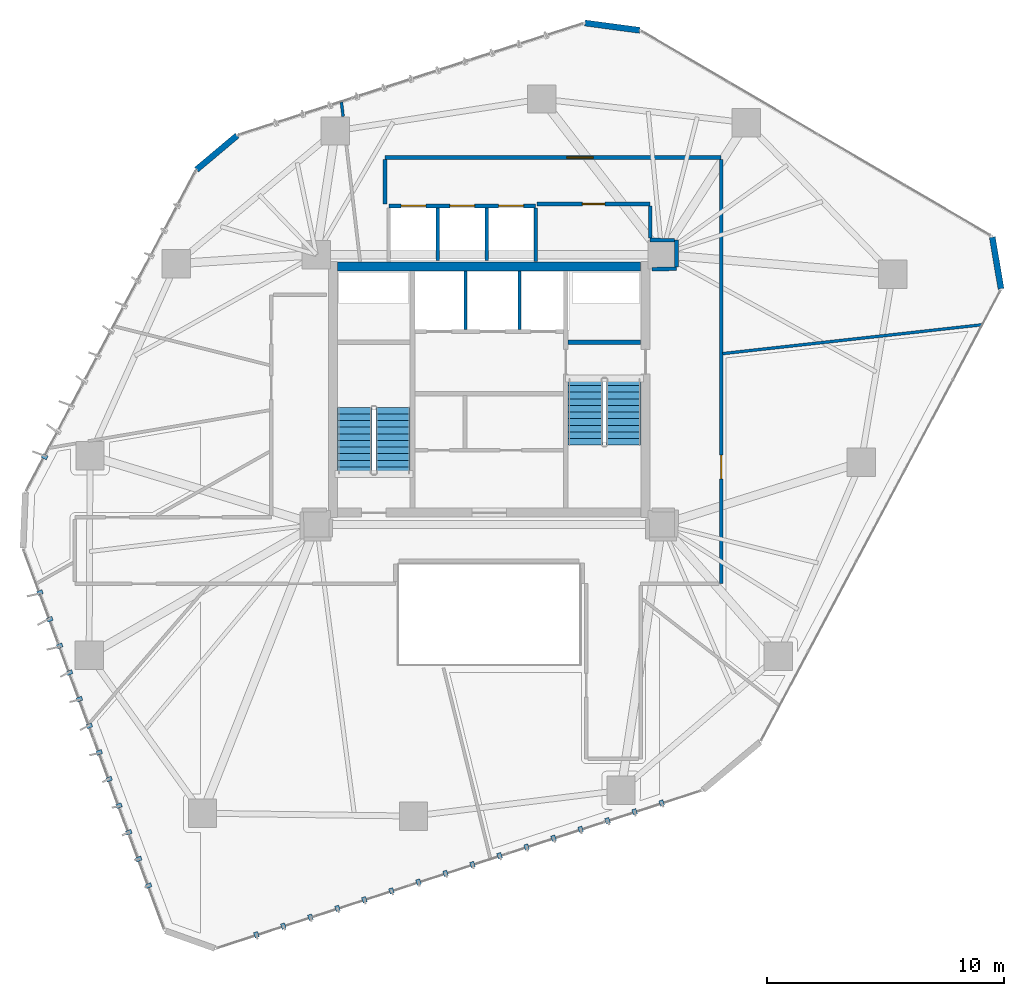
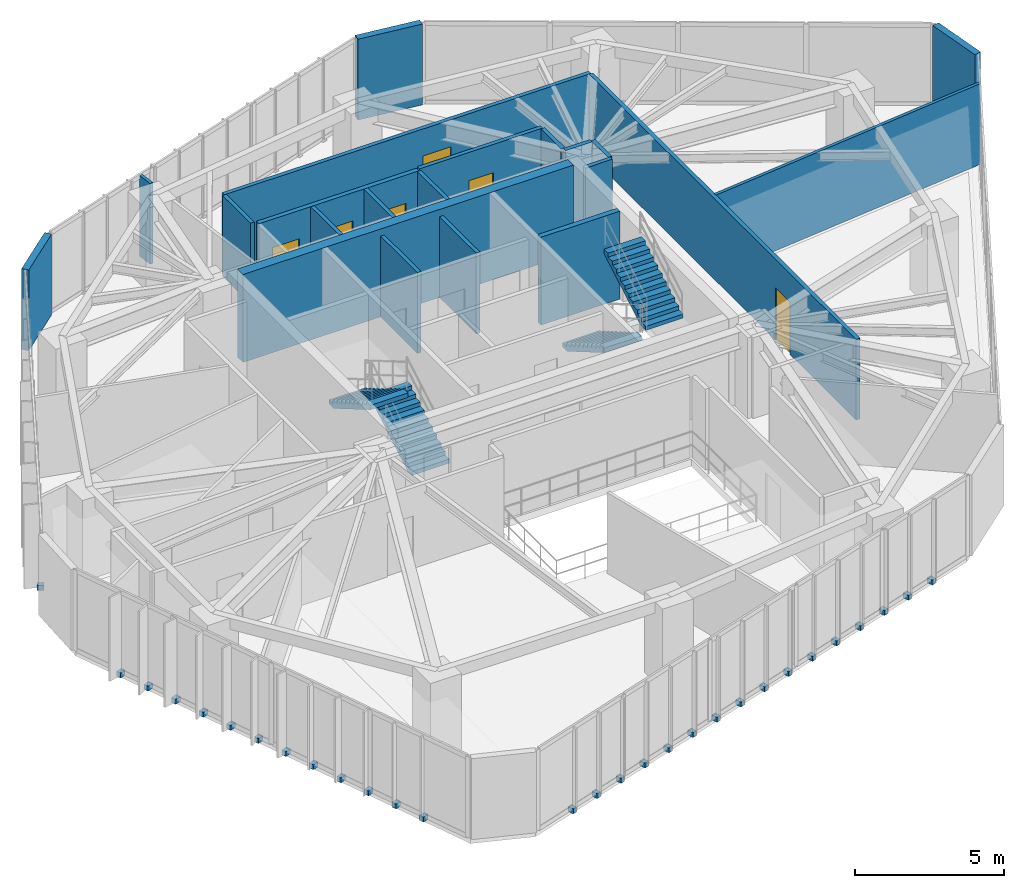
# One storey, part 17 of 21: 29 discrete accessories, 21 walls, 6 doors, 4 stair flights, 6 openings, 2 elements without a shape of their own.
"""IFC4 building model written with IfcOpenShell, lengths in metres."""

from ifc_helpers import new_model, si_unit, direction, frame, frame_2d, origin, origin_2d, place, context, subcontext, project, spatial, polyline, rectangle, outline, extrude, source, transform, mapped, material, layer, layer_set, type_object, type_shapes, element, fill, aggregate, save


model = new_model("IFC4")

# Units and contexts
model_context = context("Model", 3, precision=1e-05, world=origin(), true_north=direction((0.0, 1.0)))
body_context = subcontext(model_context, "Body", "Model", "MODEL_VIEW")
ifc_project = project(units=[si_unit("LENGTHUNIT", "METRE"), si_unit("AREAUNIT", "SQUARE_METRE"), si_unit("VOLUMEUNIT", "CUBIC_METRE"), si_unit("PLANEANGLEUNIT", "RADIAN"), si_unit("MASSUNIT", "GRAM", prefix="KILO")], contexts=[model_context])

# Site, building, storey
site_placement = place(None, origin())
site = spatial("IfcSite", under=ifc_project, at=site_placement, CompositionType="ELEMENT")
building_placement = place(site_placement, origin())
building = spatial("IfcBuilding", under=site, at=building_placement, Name="Talar Marvaseh", CompositionType="ELEMENT")
storey_placement = place(building_placement, frame((0.0, 0.0, 143.39990234375)))
storey = spatial("IfcBuildingStorey", under=building, at=storey_placement, Name="L37", CompositionType="ELEMENT", Elevation=143.39990234375)

# Walls
ifc_material_1 = material(Name="Precast concrete C45/55", Category="concrete")
ifc_layer_1 = layer(ifc_material_1, 0.2548828125)
ifc_layer_set_1 = layer_set([ifc_layer_1], Name="Precast concrete C45/55")
wall_type_1 = type_object("IfcWallType", Name="Chamfered Hexagonal Corner Pier Wall Z2 255", PredefinedType="SOLIDWALL", material=ifc_layer_set_1)
wall_1_placement = place(storey_placement, frame((13.635986328125, 40.488525390625, 0.0), z_axis=(0.0, 0.0, 1.0), x_axis=(0.766023976735, 0.642811999784, 0.0)))
element("IfcWall", 1, at=wall_1_placement, inside=storey, type_object=wall_type_1, Name="L37 Chamfered Corner Limestone Pier 3", PredefinedType="SOLIDWALL", context=body_context, shape_type="SweptSolid", body=[
    extrude(rectangle(XDim=2.2451171875, YDim=0.2548828125, at=frame_2d((1.12255859375, 0.0))), origin(), (0.0, 0.0, 1.0), 3.31005859375),
])
wall_2_placement = place(storey_placement, frame((30.044921875, 46.68359375, 0.0), z_axis=(0.0, 0.0, 1.0), x_axis=(0.99116036407, -0.132669260559, 0.0)))
element("IfcWall", 2, at=wall_2_placement, inside=storey, type_object=wall_type_1, Name="L37 Chamfered Corner Limestone Pier 4", PredefinedType="SOLIDWALL", context=body_context, shape_type="SweptSolid", body=[
    extrude(rectangle(XDim=2.3408203125, YDim=0.2548828125, at=frame_2d((1.17041015625, 0.0))), origin(), (0.0, 0.0, 1.0), 3.31005859375),
])
wall_3_placement = place(storey_placement, frame((47.252197265625, 37.637939453125, 0.0), z_axis=(0.0, 0.0, 1.0), x_axis=(0.166416827128, -0.986055495218, 0.0)))
element("IfcWall", 3, at=wall_3_placement, inside=storey, type_object=wall_type_1, Name="L37 Chamfered Corner Limestone Pier 5", PredefinedType="SOLIDWALL", context=body_context, shape_type="SweptSolid", body=[
    extrude(rectangle(XDim=2.216796875, YDim=0.2548828125, at=frame_2d((1.1083984375, 0.0))), origin(), (0.0, 0.0, 1.0), 3.31005859375),
])

# Wall, opening, door
ifc_material_2 = material(Name="Gypsum Board Partition Assembly")
ifc_layer_2 = layer(ifc_material_2, 0.155029296875)
ifc_layer_set_2 = layer_set([ifc_layer_2], Name="Gypsum Board Partition Assembly")
wall_type_2 = type_object("IfcWallType", Name="Corridor Fire-Rated Acoustic Partition 155", PredefinedType="PARTITIONING", material=ifc_layer_set_2)
wall_4_placement = place(storey_placement, frame((32.800048828125, 39.0400390625, 0.0), z_axis=(0.0, 0.0, 1.0), x_axis=(-1.0, 0.0, 0.0)))
wall_4 = element("IfcWall", 4, at=wall_4_placement, inside=storey, type_object=wall_type_2, Name="L37 Interior Partition Wall", PredefinedType="PARTITIONING", context=body_context, shape_type="SweptSolid", body=[
    extrude(rectangle(XDim=4.77001953125, YDim=0.155029296875, at=frame_2d((2.385009765625, 0.0))), origin(), (0.0, 0.0, 1.0), 3.31005859375),
])
opening_1_placement = place(wall_4_placement, frame((1.909912109375, 0.0, 0.0)))
opening_1 = element("IfcOpeningElement", 5, at=opening_1_placement, cuts=wall_4, Name="Opening DR-WC095", PredefinedType="OPENING", context=body_context, shape_type="SweptSolid", body=[
    extrude(rectangle(XDim=0.949951171875, YDim=2.14990234375, at=frame_2d((0.47509765625, 1.074951171875))), frame((0.0, 0.08740234375, 0.0), z_axis=(0.0, -1.0, 0.0), x_axis=(1.0, 0.0, 0.0)), (0.0, 0.0, 1.0), 0.175048828125),
])
ifc_material_3 = material(Name="Acoustic Engineered Oak Timber", Category="wood")
door_type_1 = type_object("IfcDoorType", Name="Washroom and Service Room Door 950x2150", OperationType="NOTDEFINED", PredefinedType="DOOR", material=ifc_material_3)
shared_shape_1 = source(origin(), body_context, "Body", "SweptSolid", [
    extrude(rectangle(XDim=0.949951171875, YDim=2.14990234375, at=frame_2d((0.47509765625, 1.074951171875))), frame((0.0, 0.02490234375, 0.0), z_axis=(0.0, -1.0, 0.0), x_axis=(1.0, 0.0, 0.0)), (0.0, 0.0, 1.0), 0.050048828125),
])
type_shapes(door_type_1, [shared_shape_1])
door_1_placement = place(opening_1_placement, origin())
door_1 = element("IfcDoor", 6, at=door_1_placement, inside=storey, type_object=door_type_1, Name="L37 Accessible WC Door", OperationType="SINGLE_SWING_LEFT", OverallHeight=2.14990234375, OverallWidth=0.949951171875, PredefinedType="DOOR", context=body_context, shape_type="MappedRepresentation", body=[
    mapped(shared_shape_1, transform((0.0, 0.0, 0.0), x_axis=(1.0, 0.0, 0.0), y_axis=(0.0, 1.0, 0.0), z_axis=(0.0, 0.0, 1.0), scale=1.0)),
])
fill(opening_1, door_1)

wall_5_placement = place(storey_placement, frame((21.60009765625, 41.0, 0.0), z_axis=(0.0, 0.0, 1.0), x_axis=(1.0, 0.0, 0.0)))
wall_5 = element("IfcWall", 7, at=wall_5_placement, inside=storey, type_object=wall_type_2, Name="L37 Interior Partition Wall", PredefinedType="PARTITIONING", context=body_context, shape_type="SweptSolid", body=[
    extrude(rectangle(XDim=14.199951171875, YDim=0.155029296875, at=frame_2d((7.10009765625, 0.0))), origin(), (0.0, 0.0, 1.0), 3.31005859375),
])
opening_2_placement = place(wall_5_placement, frame((7.68603515625, 0.0, 0.0)))
opening_2 = element("IfcOpeningElement", 8, at=opening_2_placement, cuts=wall_5, Name="Opening DR-RM110", PredefinedType="OPENING", context=body_context, shape_type="SweptSolid", body=[
    extrude(rectangle(XDim=1.10009765625, YDim=2.199951171875, at=frame_2d((0.550048828125, 1.10009765625))), frame((0.0, 0.08740234375, 0.0), z_axis=(0.0, -1.0, 0.0), x_axis=(1.0, 0.0, 0.0)), (0.0, 0.0, 1.0), 0.175048828125),
])
door_type_2 = type_object("IfcDoorType", Name="Assembly and Reading Hall Door 1100x2200", OperationType="NOTDEFINED", PredefinedType="DOOR", material=ifc_material_3)
shared_shape_2 = source(origin(), body_context, "Body", "SweptSolid", [
    extrude(rectangle(XDim=1.10009765625, YDim=2.199951171875, at=frame_2d((0.550048828125, 1.10009765625))), frame((0.0, 0.02490234375, 0.0), z_axis=(0.0, -1.0, 0.0), x_axis=(1.0, 0.0, 0.0)), (0.0, 0.0, 1.0), 0.050048828125),
])
type_shapes(door_type_2, [shared_shape_2])
door_2_placement = place(opening_2_placement, origin())
door_2 = element("IfcDoor", 9, at=door_2_placement, inside=storey, type_object=door_type_2, Name="L37 Gallery Security Control Room Door", OperationType="SINGLE_SWING_RIGHT", OverallHeight=2.199951171875, OverallWidth=1.10009765625, PredefinedType="DOOR", context=body_context, shape_type="MappedRepresentation", body=[
    mapped(shared_shape_2, transform((0.0, 0.0, 0.0), x_axis=(1.0, 0.0, 0.0), y_axis=(0.0, 1.0, 0.0), z_axis=(0.0, 0.0, 1.0), scale=1.0)),
])
fill(opening_2, door_2)

wall_6_placement = place(storey_placement, frame((35.800048828125, 40.91650390625, 0.0), z_axis=(0.0, 0.0, 1.0), x_axis=(0.0, -1.0, 0.0)))
wall_6 = element("IfcWall", 10, at=wall_6_placement, inside=storey, type_object=wall_type_2, Name="L37 Interior Partition Wall", PredefinedType="PARTITIONING", context=body_context, shape_type="SweptSolid", body=[
    extrude(rectangle(XDim=17.91650390625, YDim=0.155029296875, at=frame_2d((8.958251953125, 0.0))), origin(), (0.0, 0.0, 1.0), 3.31005859375),
])
opening_3_placement = place(wall_6_placement, frame((12.48876953125, 0.0, 0.0)))
opening_3 = element("IfcOpeningElement", 11, at=opening_3_placement, cuts=wall_6, Name="Opening DR-RM100", PredefinedType="OPENING", context=body_context, shape_type="SweptSolid", body=[
    extrude(rectangle(XDim=1.0, YDim=2.14990234375, at=frame_2d((0.5, 1.074951171875))), frame((0.0, 0.08740234375, 0.0), z_axis=(0.0, -1.0, 0.0), x_axis=(1.0, 0.0, 0.0)), (0.0, 0.0, 1.0), 0.175048828125),
])
door_type_3 = type_object("IfcDoorType", Name="Corridor Fire-Rated Gallery Door 1000x2150", OperationType="NOTDEFINED", PredefinedType="DOOR", material=ifc_material_3)
shared_shape_3 = source(origin(), body_context, "Body", "SweptSolid", [
    extrude(rectangle(XDim=1.0, YDim=2.14990234375, at=frame_2d((0.5, 1.074951171875))), frame((0.0, 0.02490234375, 0.0), z_axis=(0.0, -1.0, 0.0), x_axis=(1.0, 0.0, 0.0)), (0.0, 0.0, 1.0), 0.050048828125),
])
type_shapes(door_type_3, [shared_shape_3])
door_3_placement = place(opening_3_placement, origin())
door_3 = element("IfcDoor", 12, at=door_3_placement, inside=storey, type_object=door_type_3, Name="L37 Cultural Fellowship Office Door", OperationType="SINGLE_SWING_LEFT", OverallHeight=2.14990234375, OverallWidth=1.0, PredefinedType="DOOR", context=body_context, shape_type="MappedRepresentation", body=[
    mapped(shared_shape_3, transform((0.0, 0.0, 0.0), x_axis=(1.0, 0.0, 0.0), y_axis=(0.0, 1.0, 0.0), z_axis=(0.0, 0.0, 1.0), scale=1.0)),
])
fill(opening_3, door_3)

# Walls
wall_7_placement = place(storey_placement, frame((32.8701171875, 36.284912109375, 0.0), z_axis=(0.0, 0.0, 1.0), x_axis=(0.999895094683, 0.014484461652, 0.0)))
element("IfcWall", 13, at=wall_7_placement, inside=storey, type_object=wall_type_2, Name="L37 Interior Partition Wall", PredefinedType="PARTITIONING", context=body_context, shape_type="SweptSolid", body=[
    extrude(rectangle(XDim=1.044921875, YDim=0.155029296875, at=frame_2d((0.5224609375, 0.0))), origin(), (0.0, 0.0, 1.0), 3.31005859375),
])
wall_8_placement = place(storey_placement, frame((33.914794921875, 36.383544921875, 0.0), z_axis=(0.0, 0.0, 1.0), x_axis=(-0.003682817312, 0.999993218405, 0.0)))
element("IfcWall", 14, at=wall_8_placement, inside=storey, type_object=wall_type_2, Name="L37 Interior Partition Wall", PredefinedType="PARTITIONING", context=body_context, shape_type="SweptSolid", body=[
    extrude(rectangle(XDim=1.126953125, YDim=0.155029296875, at=frame_2d((0.5634765625, 0.0))), origin(), (0.0, 0.0, 1.0), 3.31005859375),
])
wall_9_placement = place(storey_placement, frame((33.8271484375, 37.510986328125, 0.0), z_axis=(0.0, 0.0, 1.0), x_axis=(-0.99999276797, 0.003803157663, 0.0)))
element("IfcWall", 15, at=wall_9_placement, inside=storey, type_object=wall_type_2, Name="L37 Interior Partition Wall", PredefinedType="PARTITIONING", context=body_context, shape_type="SweptSolid", body=[
    extrude(rectangle(XDim=1.027099609375, YDim=0.155029296875, at=frame_2d((0.513671875, 0.0))), origin(), (0.0, 0.0, 1.0), 3.31005859375),
])
wall_10_placement = place(storey_placement, frame((32.800048828125, 37.598388671875, 0.0), z_axis=(0.0, 0.0, 1.0), x_axis=(0.0, 1.0, 0.0)))
element("IfcWall", 16, at=wall_10_placement, inside=storey, type_object=wall_type_2, Name="L37 Interior Partition Wall", PredefinedType="PARTITIONING", context=body_context, shape_type="SweptSolid", body=[
    extrude(rectangle(XDim=1.358154296875, YDim=0.155029296875, at=frame_2d((0.67919921875, 0.0))), origin(), (0.0, 0.0, 1.0), 3.31005859375),
])
wall_11_placement = place(storey_placement, frame((21.60009765625, 39.0400390625, 0.0), z_axis=(0.0, 0.0, 1.0), x_axis=(0.0, 1.0, 0.0)))
element("IfcWall", 17, at=wall_11_placement, inside=storey, type_object=wall_type_2, Name="L37 Interior Partition Wall", PredefinedType="PARTITIONING", context=body_context, shape_type="SweptSolid", body=[
    extrude(rectangle(XDim=1.87646484375, YDim=0.155029296875, at=frame_2d((0.938232421875, 0.0))), origin(), (0.0, 0.0, 1.0), 3.31005859375),
])
ifc_layer_3 = layer(ifc_material_2, 0.1201171875)
ifc_layer_set_3 = layer_set([ifc_layer_3], Name="Gypsum Board Partition Assembly")
wall_type_3 = type_object("IfcWallType", Name="Demountable Studio Room Partition 120", PredefinedType="PARTITIONING", material=ifc_layer_set_3)
wall_12_placement = place(storey_placement, frame((35.864501953125, 32.71728515625, 0.0), z_axis=(0.0, 0.0, 1.0), x_axis=(0.99387345173, 0.110524033341, 0.0)))
element("IfcWall", 18, at=wall_12_placement, inside=storey, type_object=wall_type_3, Name="L37 Interior Partition Wall", PredefinedType="PARTITIONING", context=body_context, shape_type="SweptSolid", body=[
    extrude(rectangle(XDim=11.007080078125, YDim=0.1201171875, at=frame_2d((5.50341796875, 0.0))), origin(), (0.0, 0.0, 1.0), 3.31005859375),
])
wall_13_placement = place(storey_placement, frame((19.830078125, 42.739990234375, 0.0), z_axis=(0.0, 0.0, 1.0), x_axis=(-0.118470946322, 0.992957519171, 0.0)))
element("IfcWall", 19, at=wall_13_placement, inside=storey, type_object=wall_type_3, Name="L37 Interior Partition Wall", PredefinedType="PARTITIONING", context=body_context, shape_type="SweptSolid", body=[
    extrude(rectangle(XDim=0.599609375, YDim=0.1201171875, at=frame_2d((0.2998046875, 0.0))), origin(), (0.0, 0.0, 1.0), 3.31005859375),
])
ifc_layer_4 = layer(ifc_material_1, 0.14501953125)
ifc_layer_set_4 = layer_set([ifc_layer_4], Name="Precast concrete C45/55")
wall_type_4 = type_object("IfcWallType", Name="Fire-Rated Lift Divider Wall 145", PredefinedType="SOLIDWALL", material=ifc_layer_set_4)
for number, where, z_axis, x_axis, name in (
    (20, (25.0, 33.743408203125, 0.0), (0.0, 0.0, 1.0), (0.0, 1.0, 0.0), "L37 FFL-1/FFL-2 Divider"),
    (21, (27.280029296875, 33.743408203125, 0.0), (0.0, 0.0, 1.0), (0.0, 1.0, 0.0), "L37 FFL-2/SVL-1 Divider"),
):
    element("IfcWall", number, at=place(storey_placement, frame(where, z_axis=z_axis, x_axis=x_axis)), inside=storey, type_object=wall_type_4, Name=name, PredefinedType="SOLIDWALL", context=body_context, shape_type="SweptSolid", body=[
        extrude(rectangle(XDim=2.45654296875, YDim=0.14501953125, at=frame_2d((1.228271484375, 0.0))), origin(), (0.0, 0.0, 1.0), 3.31005859375),
    ])
wall_14_placement = place(storey_placement, frame((27.9599609375, 36.60009765625, 0.0), z_axis=(0.0, 0.0, 1.0), x_axis=(0.0, 1.0, 0.0)))
element("IfcWall", 22, at=wall_14_placement, inside=storey, type_object=wall_type_4, Name="L37 Low-Rise Bank East Wall", PredefinedType="SOLIDWALL", context=body_context, shape_type="SweptSolid", body=[
    extrude(rectangle(XDim=2.266357421875, YDim=0.14501953125, at=frame_2d((1.13330078125, 0.0))), origin(), (0.0, 0.0, 1.0), 3.31005859375),
])
for number, where, z_axis, x_axis, name in (
    (23, (23.830078125, 36.659912109375, 0.0), (0.0, 0.0, 1.0), (0.0, 1.0, 0.0), "L37 PL-L1/PL-L2 Divider"),
    (24, (25.889892578125, 36.659912109375, 0.0), (0.0, 0.0, 1.0), (0.0, 1.0, 0.0), "L37 PL-L2/PL-L3 Divider"),
):
    element("IfcWall", number, at=place(storey_placement, frame(where, z_axis=z_axis, x_axis=x_axis)), inside=storey, type_object=wall_type_4, Name=name, PredefinedType="SOLIDWALL", context=body_context, shape_type="SweptSolid", body=[
        extrude(rectangle(XDim=2.20654296875, YDim=0.14501953125, at=frame_2d((1.103271484375, 0.0))), origin(), (0.0, 0.0, 1.0), 3.31005859375),
    ])

# Wall, openings, doors
ifc_layer_5 = layer(ifc_material_1, 0.175048828125)
ifc_layer_set_5 = layer_set([ifc_layer_5], Name="Precast concrete C45/55")
wall_type_5 = type_object("IfcWallType", Name="Fire-Rated Lift Hoistway Enclosure Wall 175", PredefinedType="SOLIDWALL", material=ifc_layer_set_5)
wall_15_placement = place(storey_placement, frame((21.760009765625, 38.9599609375, 0.0), z_axis=(0.0, 0.0, 1.0), x_axis=(1.0, 0.0, 0.0)))
wall_15 = element("IfcWall", 25, at=wall_15_placement, inside=storey, type_object=wall_type_5, Name="L37 Low-Rise Lift Bank Front Wall", PredefinedType="SOLIDWALL", context=body_context, shape_type="SweptSolid", body=[
    extrude(rectangle(XDim=6.199951171875, YDim=0.175048828125, at=frame_2d((3.10009765625, 0.0))), origin(), (0.0, 0.0, 1.0), 3.31005859375),
])
opening_4_placement = place(wall_15_placement, frame((0.52001953125, 0.0, 0.0)))
opening_4 = element("IfcOpeningElement", 26, at=opening_4_placement, cuts=wall_15, Name="Opening LD-PLL1", PredefinedType="OPENING", context=body_context, shape_type="SweptSolid", body=[
    extrude(rectangle(XDim=1.050048828125, YDim=2.14990234375, at=frame_2d((0.52490234375, 1.074951171875))), frame((0.0, 0.09765625, 0.0), z_axis=(0.0, -1.0, 0.0), x_axis=(1.0, 0.0, 0.0)), (0.0, 0.0, 1.0), 0.195068359375),
])
opening_5_placement = place(wall_15_placement, frame((2.580078125, 0.0, 0.0)))
opening_5 = element("IfcOpeningElement", 27, at=opening_5_placement, cuts=wall_15, Name="Opening LD-PLL2", PredefinedType="OPENING", context=body_context, shape_type="SweptSolid", body=[
    extrude(rectangle(XDim=1.050048828125, YDim=2.14990234375, at=frame_2d((0.52490234375, 1.074951171875))), frame((0.0, 0.09765625, 0.0), z_axis=(0.0, -1.0, 0.0), x_axis=(1.0, 0.0, 0.0)), (0.0, 0.0, 1.0), 0.195068359375),
])
opening_6_placement = place(wall_15_placement, frame((4.639892578125, 0.0, 0.0)))
opening_6 = element("IfcOpeningElement", 28, at=opening_6_placement, cuts=wall_15, Name="Opening LD-PLL3", PredefinedType="OPENING", context=body_context, shape_type="SweptSolid", body=[
    extrude(rectangle(XDim=1.050048828125, YDim=2.14990234375, at=frame_2d((0.52490234375, 1.074951171875))), frame((0.0, 0.09765625, 0.0), z_axis=(0.0, -1.0, 0.0), x_axis=(1.0, 0.0, 0.0)), (0.0, 0.0, 1.0), 0.195068359375),
])
ifc_material_4 = material(Name="Stainless Steel Grade 316", Category="steel")
door_type_4 = type_object("IfcDoorType", Name="Automatic Sliding Lift Landing Door 1050x2150", OperationType="NOTDEFINED", PredefinedType="DOOR", material=ifc_material_4)
shared_shape_4 = source(origin(), body_context, "Body", "SweptSolid", [
    extrude(rectangle(XDim=1.050048828125, YDim=2.14990234375, at=frame_2d((0.52490234375, 1.074951171875))), frame((0.0, 0.02490234375, 0.0), z_axis=(0.0, -1.0, 0.0), x_axis=(1.0, 0.0, 0.0)), (0.0, 0.0, 1.0), 0.050048828125),
])
type_shapes(door_type_4, [shared_shape_4])
door_4_placement = place(opening_4_placement, origin())
door_4 = element("IfcDoor", 29, at=door_4_placement, inside=storey, type_object=door_type_4, Name="L37 Lift PL-L1 Sliding Landing Door", OperationType="SLIDING_TO_LEFT", OverallHeight=2.14990234375, OverallWidth=1.050048828125, PredefinedType="DOOR", context=body_context, shape_type="MappedRepresentation", body=[
    mapped(shared_shape_4, transform((0.0, 0.0, 0.0), x_axis=(1.0, 0.0, 0.0), y_axis=(0.0, 1.0, 0.0), z_axis=(0.0, 0.0, 1.0), scale=1.0)),
])
fill(opening_4, door_4)
door_5_placement = place(opening_5_placement, origin())
door_5 = element("IfcDoor", 30, at=door_5_placement, inside=storey, type_object=door_type_4, Name="L37 Lift PL-L2 Sliding Landing Door", OperationType="SLIDING_TO_LEFT", OverallHeight=2.14990234375, OverallWidth=1.050048828125, PredefinedType="DOOR", context=body_context, shape_type="MappedRepresentation", body=[
    mapped(shared_shape_4, transform((0.0, 0.0, 0.0), x_axis=(1.0, 0.0, 0.0), y_axis=(0.0, 1.0, 0.0), z_axis=(0.0, 0.0, 1.0), scale=1.0)),
])
fill(opening_5, door_5)
door_6_placement = place(opening_6_placement, origin())
door_6 = element("IfcDoor", 31, at=door_6_placement, inside=storey, type_object=door_type_4, Name="L37 Lift PL-L3 Sliding Landing Door", OperationType="SLIDING_TO_LEFT", OverallHeight=2.14990234375, OverallWidth=1.050048828125, PredefinedType="DOOR", context=body_context, shape_type="MappedRepresentation", body=[
    mapped(shared_shape_4, transform((0.0, 0.0, 0.0), x_axis=(1.0, 0.0, 0.0), y_axis=(0.0, 1.0, 0.0), z_axis=(0.0, 0.0, 1.0), scale=1.0)),
])
fill(opening_6, door_6)

# Walls
ifc_material_5 = material(Name="Concrete C60/75", Category="concrete")
ifc_layer_6 = layer(ifc_material_5, 0.3798828125)
ifc_layer_set_6 = layer_set([ifc_layer_6], Name="Concrete C60/75")
wall_type_6 = type_object("IfcWallType", Name="Mid Core Reinforced Concrete Shear Wall 380", PredefinedType="SHEAR", material=ifc_layer_set_6)
wall_16_placement = place(storey_placement, frame((19.60009765625, 36.39990234375, 0.0), z_axis=(0.0, 0.0, 1.0), x_axis=(1.0, 0.0, 0.0)))
element("IfcWall", 32, at=wall_16_placement, inside=storey, type_object=wall_type_6, Name="L37 North Core Shear Wall", PredefinedType="SHEAR", context=body_context, shape_type="SweptSolid", body=[
    extrude(rectangle(XDim=12.7998046875, YDim=0.3798828125, at=frame_2d((6.39990234375, 0.0))), origin(), (0.0, 0.0, 1.0), 3.60009765625),
])
ifc_material_6 = material(Name="Concrete C50/60", Category="concrete")
ifc_layer_7 = layer(ifc_material_6, 0.199951171875)
ifc_layer_set_7 = layer_set([ifc_layer_7], Name="Concrete C50/60")
wall_type_7 = type_object("IfcWallType", Name="Stair Shaft Structural Concrete Shear Wall 200", PredefinedType="SHEAR", material=ifc_layer_set_7)
wall_17_placement = place(storey_placement, frame((29.340087890625, 33.199951171875, 0.0), z_axis=(0.0, 0.0, 1.0), x_axis=(1.0, 0.0, 0.0)))
element("IfcWall", 33, at=wall_17_placement, inside=storey, type_object=wall_type_7, Name="L37 Stair ST-2 North Shear Wall", PredefinedType="SHEAR", context=body_context, shape_type="SweptSolid", body=[
    extrude(rectangle(XDim=3.059814453125, YDim=0.199951171875, at=frame_2d((1.52978515625, 0.0))), origin(), (0.0, 0.0, 1.0), 3.60009765625),
])

# Stair, stair flights
ifc_material_7 = material(Name="Concrete C40/50", Category="concrete")
stair_type = type_object("IfcStairType", Name="Reinforced Concrete Half-Turn Exit Stair Type B", PredefinedType="HALF_TURN_STAIR", material=ifc_material_7)
stair_1_placement = place(storey_placement, origin())
stair_1 = element("IfcStair", 34, at=stair_1_placement, inside=storey, type_object=stair_type, Name="L37 Tower West Core Exit Stair", PredefinedType="HALF_TURN_STAIR")
ifc_layer_8 = layer(ifc_material_7, 0.159912109375)
ifc_layer_set_8 = layer_set([ifc_layer_8], Name="Concrete C40/50")
stair_flight_type = type_object("IfcStairFlightType", Name="Reinforced Concrete Straight Stair Flight 160", PredefinedType="STRAIGHT", material=ifc_layer_set_8)
stair_flight_1_placement = place(storey_placement, frame((21.93505859375, 27.64990234375, 0.0), z_axis=(0.0, 0.0, 1.0), x_axis=(0.0, 1.0, 0.0)))
stair_flight_1 = element("IfcStairFlight", 35, at=stair_flight_1_placement, type_object=stair_flight_type, Name="ST-1 flight 1", NumberOfRisers=11, NumberOfTreads=10, PredefinedType="STRAIGHT", RiserHeight=0.163636364, TreadLength=0.28, context=body_context, shape_type="SweptSolid", body=[
    extrude(outline(polyline([(0.0, 0.0), (0.0, 0.16357421875), (0.280029296875, 0.16357421875), (0.280029296875, 0.327392578125), (0.56005859375, 0.327392578125), (0.56005859375, 0.490966796875), (0.840087890625, 0.490966796875), (0.840087890625, 0.654541015625), (1.1201171875, 0.654541015625), (1.1201171875, 0.818115234375), (1.39990234375, 0.818115234375), (1.39990234375, 0.98193359375), (1.679931640625, 0.98193359375), (1.679931640625, 1.1455078125), (1.9599609375, 1.1455078125), (1.9599609375, 1.30908203125), (2.239990234375, 1.30908203125), (2.239990234375, 1.47265625), (2.52001953125, 1.47265625), (2.52001953125, 1.636474609375), (2.800048828125, 1.636474609375), (2.800048828125, 1.800048828125), (2.800048828125, 1.451171875), (0.31689453125, 0.0), (0.0, 0.0)])), frame((0.0, 0.72509765625, 0.0), z_axis=(0.0, -1.0, 0.0), x_axis=(1.0, 0.0, 0.0)), (0.0, 0.0, 1.0), 1.449951171875),
])
stair_flight_2_placement = place(storey_placement, frame((20.324951171875, 30.449951171875, 1.800048828125), z_axis=(0.0, 0.0, 1.0), x_axis=(0.0, -1.0, 0.0)))
stair_flight_2 = element("IfcStairFlight", 36, at=stair_flight_2_placement, type_object=stair_flight_type, Name="ST-1 flight 2", NumberOfRisers=11, NumberOfTreads=10, PredefinedType="STRAIGHT", RiserHeight=0.163636364, TreadLength=0.28, context=body_context, shape_type="SweptSolid", body=[
    extrude(outline(polyline([(0.0, 0.0), (0.0, 0.16357421875), (0.280029296875, 0.16357421875), (0.280029296875, 0.327392578125), (0.56005859375, 0.327392578125), (0.56005859375, 0.490966796875), (0.840087890625, 0.490966796875), (0.840087890625, 0.654541015625), (1.1201171875, 0.654541015625), (1.1201171875, 0.818115234375), (1.39990234375, 0.818115234375), (1.39990234375, 0.98193359375), (1.679931640625, 0.98193359375), (1.679931640625, 1.1455078125), (1.9599609375, 1.1455078125), (1.9599609375, 1.30908203125), (2.239990234375, 1.30908203125), (2.239990234375, 1.47265625), (2.52001953125, 1.47265625), (2.52001953125, 1.636474609375), (2.800048828125, 1.636474609375), (2.800048828125, 1.800048828125), (2.800048828125, 1.451171875), (0.31689453125, 0.0), (0.0, 0.0)])), frame((0.0, 0.72509765625, 0.0), z_axis=(0.0, -1.0, 0.0), x_axis=(1.0, 0.0, 0.0)), (0.0, 0.0, 1.0), 1.449951171875),
])
aggregate(stair_1, [stair_flight_1, stair_flight_2])

stair_2_placement = place(storey_placement, origin())
stair_2 = element("IfcStair", 37, at=stair_2_placement, inside=storey, type_object=stair_type, Name="L37 Tower East Core Exit Stair", PredefinedType="HALF_TURN_STAIR")
stair_flight_3_placement = place(storey_placement, frame((30.06494140625, 31.64990234375, 0.0), z_axis=(0.0, 0.0, 1.0), x_axis=(0.0, -1.0, 0.0)))
stair_flight_3 = element("IfcStairFlight", 38, at=stair_flight_3_placement, type_object=stair_flight_type, Name="ST-2 flight 1", NumberOfRisers=11, NumberOfTreads=10, PredefinedType="STRAIGHT", RiserHeight=0.163636364, TreadLength=0.28, context=body_context, shape_type="SweptSolid", body=[
    extrude(outline(polyline([(0.0, 0.0), (0.0, 0.16357421875), (0.280029296875, 0.16357421875), (0.280029296875, 0.327392578125), (0.56005859375, 0.327392578125), (0.56005859375, 0.490966796875), (0.840087890625, 0.490966796875), (0.840087890625, 0.654541015625), (1.1201171875, 0.654541015625), (1.1201171875, 0.818115234375), (1.39990234375, 0.818115234375), (1.39990234375, 0.98193359375), (1.679931640625, 0.98193359375), (1.679931640625, 1.1455078125), (1.9599609375, 1.1455078125), (1.9599609375, 1.30908203125), (2.239990234375, 1.30908203125), (2.239990234375, 1.47265625), (2.52001953125, 1.47265625), (2.52001953125, 1.636474609375), (2.800048828125, 1.636474609375), (2.800048828125, 1.800048828125), (2.800048828125, 1.451171875), (0.31689453125, 0.0), (0.0, 0.0)])), frame((0.0, 0.72509765625, 0.0), z_axis=(0.0, -1.0, 0.0), x_axis=(1.0, 0.0, 0.0)), (0.0, 0.0, 1.0), 1.449951171875),
])
stair_flight_4_placement = place(storey_placement, frame((31.675048828125, 28.85009765625, 1.800048828125), z_axis=(0.0, 0.0, 1.0), x_axis=(0.0, 1.0, 0.0)))
stair_flight_4 = element("IfcStairFlight", 39, at=stair_flight_4_placement, type_object=stair_flight_type, Name="ST-2 flight 2", NumberOfRisers=11, NumberOfTreads=10, PredefinedType="STRAIGHT", RiserHeight=0.163636364, TreadLength=0.28, context=body_context, shape_type="SweptSolid", body=[
    extrude(outline(polyline([(0.0, 0.0), (0.0, 0.16357421875), (0.280029296875, 0.16357421875), (0.280029296875, 0.327392578125), (0.56005859375, 0.327392578125), (0.56005859375, 0.490966796875), (0.840087890625, 0.490966796875), (0.840087890625, 0.654541015625), (1.1201171875, 0.654541015625), (1.1201171875, 0.818115234375), (1.39990234375, 0.818115234375), (1.39990234375, 0.98193359375), (1.679931640625, 0.98193359375), (1.679931640625, 1.1455078125), (1.9599609375, 1.1455078125), (1.9599609375, 1.30908203125), (2.239990234375, 1.30908203125), (2.239990234375, 1.47265625), (2.52001953125, 1.47265625), (2.52001953125, 1.636474609375), (2.800048828125, 1.636474609375), (2.800048828125, 1.800048828125), (2.800048828125, 1.451171875), (0.31689453125, 0.0), (0.0, 0.0)])), frame((0.0, 0.72509765625, 0.0), z_axis=(0.0, -1.0, 0.0), x_axis=(1.0, 0.0, 0.0)), (0.0, 0.0, 1.0), 1.449951171875),
])
aggregate(stair_2, [stair_flight_3, stair_flight_4])

# Discrete accessories
discrete_accessory_type = type_object("IfcDiscreteAccessoryType", Name="Stainless Slab-Edge Fin Mounting Bracket", PredefinedType="BRACKET", material=ifc_material_4)
shared_shape_5 = source(origin(), body_context, "Body", "SweptSolid", [
    extrude(rectangle(XDim=0.239990234375, YDim=0.179931640625, at=origin_2d()), origin(), (0.0, 0.0, 1.0), 0.199951171875),
])
type_shapes(discrete_accessory_type, [shared_shape_5])
for number, where, z_axis, x_axis, name in (
    (40, (11.614501953125, 10.2451171875, -0.1796875), (0.0, 0.0, 1.0), (-0.937585819058, -0.347753981862, 0.0), "L37 Vertical Fin Slab-Edge Bracket"),
    (41, (11.197265625, 11.3701171875, -0.1796875), (0.0, 0.0, 1.0), (-0.937585819058, -0.347753981862, 0.0), "L37 Vertical Fin Slab-Edge Bracket"),
    (42, (10.77978515625, 12.4951171875, -0.1796875), (0.0, 0.0, 1.0), (-0.937585819058, -0.347753981862, 0.0), "L37 Vertical Fin Slab-Edge Bracket"),
    (43, (10.36279296875, 13.620361328125, -0.1796875), (0.0, 0.0, 1.0), (-0.937585819058, -0.347753981862, 0.0), "L37 Vertical Fin Slab-Edge Bracket"),
    (44, (9.945556640625, 14.74560546875, -0.1796875), (0.0, 0.0, 1.0), (-0.937585819058, -0.347753981862, 0.0), "L37 Vertical Fin Slab-Edge Bracket"),
    (45, (9.5283203125, 15.87060546875, -0.1796875), (0.0, 0.0, 1.0), (-0.937585819058, -0.347753981862, 0.0), "L37 Vertical Fin Slab-Edge Bracket"),
    (46, (9.111083984375, 16.995849609375, -0.1796875), (0.0, 0.0, 1.0), (-0.937585819058, -0.347753981862, 0.0), "L37 Vertical Fin Slab-Edge Bracket"),
    (47, (8.69384765625, 18.120849609375, -0.1796875), (0.0, 0.0, 1.0), (-0.937585819058, -0.347753981862, 0.0), "L37 Vertical Fin Slab-Edge Bracket"),
    (48, (8.276611328125, 19.24609375, -0.1796875), (0.0, 0.0, 1.0), (-0.937585819058, -0.347753981862, 0.0), "L37 Vertical Fin Slab-Edge Bracket"),
    (49, (7.859375, 20.37109375, -0.1796875), (0.0, 0.0, 1.0), (-0.937585819058, -0.347753981862, 0.0), "L37 Vertical Fin Slab-Edge Bracket"),
    (50, (7.442138671875, 21.496337890625, -0.1796875), (0.0, 0.0, 1.0), (-0.937585819058, -0.347753981862, 0.0), "L37 Vertical Fin Slab-Edge Bracket"),
    (51, (7.02490234375, 22.621337890625, -0.1796875), (0.0, 0.0, 1.0), (-0.937585819058, -0.347753981862, 0.0), "L37 Vertical Fin Slab-Edge Bracket"),
    (52, (7.22412109375, 28.36181640625, -0.1796875), (0.0, 0.0, 1.0), (-0.883520501477, 0.468392488698, 0.0), "L37 Vertical Fin Slab-Edge Bracket"),
    (53, (33.284912109375, 13.731201171875, -0.1796875), (0.0, 0.0, 1.0), (0.309182980343, -0.95100256817, 0.0), "L37 Vertical Fin Slab-Edge Bracket"),
    (54, (32.143798828125, 13.360107421875, -0.1796875), (0.0, 0.0, 1.0), (0.309182980343, -0.95100256817, 0.0), "L37 Vertical Fin Slab-Edge Bracket"),
    (55, (31.002685546875, 12.989013671875, -0.1796875), (0.0, 0.0, 1.0), (0.309182980343, -0.95100256817, 0.0), "L37 Vertical Fin Slab-Edge Bracket"),
    (56, (29.861328125, 12.6181640625, -0.1796875), (0.0, 0.0, 1.0), (0.309182980343, -0.95100256817, 0.0), "L37 Vertical Fin Slab-Edge Bracket"),
    (57, (28.72021484375, 12.2470703125, -0.1796875), (0.0, 0.0, 1.0), (0.309182980343, -0.95100256817, 0.0), "L37 Vertical Fin Slab-Edge Bracket"),
    (58, (27.5791015625, 11.876220703125, -0.1796875), (0.0, 0.0, 1.0), (0.309182980343, -0.95100256817, 0.0), "L37 Vertical Fin Slab-Edge Bracket"),
    (59, (26.437744140625, 11.505126953125, -0.1796875), (0.0, 0.0, 1.0), (0.309182980343, -0.95100256817, 0.0), "L37 Vertical Fin Slab-Edge Bracket"),
    (60, (25.296630859375, 11.13427734375, -0.1796875), (0.0, 0.0, 1.0), (0.309182980343, -0.95100256817, 0.0), "L37 Vertical Fin Slab-Edge Bracket"),
    (61, (24.155517578125, 10.76318359375, -0.1796875), (0.0, 0.0, 1.0), (0.309182980343, -0.95100256817, 0.0), "L37 Vertical Fin Slab-Edge Bracket"),
    (62, (23.01416015625, 10.39208984375, -0.1796875), (0.0, 0.0, 1.0), (0.309182980343, -0.95100256817, 0.0), "L37 Vertical Fin Slab-Edge Bracket"),
    (63, (21.872802734375, 10.021240234375, -0.1796875), (0.0, 0.0, 1.0), (0.309182980343, -0.95100256817, 0.0), "L37 Vertical Fin Slab-Edge Bracket"),
    (64, (20.731689453125, 9.650146484375, -0.1796875), (0.0, 0.0, 1.0), (0.309182980343, -0.95100256817, 0.0), "L37 Vertical Fin Slab-Edge Bracket"),
    (65, (19.590576171875, 9.279296875, -0.1796875), (0.0, 0.0, 1.0), (0.309182980343, -0.95100256817, 0.0), "L37 Vertical Fin Slab-Edge Bracket"),
    (66, (18.44921875, 8.908203125, -0.1796875), (0.0, 0.0, 1.0), (0.309182980343, -0.95100256817, 0.0), "L37 Vertical Fin Slab-Edge Bracket"),
    (67, (17.30810546875, 8.537109375, -0.1796875), (0.0, 0.0, 1.0), (0.309182980343, -0.95100256817, 0.0), "L37 Vertical Fin Slab-Edge Bracket"),
    (68, (16.1669921875, 8.166259765625, -0.1796875), (0.0, 0.0, 1.0), (0.309182980343, -0.95100256817, 0.0), "L37 Vertical Fin Slab-Edge Bracket"),
):
    element("IfcDiscreteAccessory", number, at=place(storey_placement, frame(where, z_axis=z_axis, x_axis=x_axis)), inside=storey, type_object=discrete_accessory_type, Name=name, PredefinedType="BRACKET", context=body_context, shape_type="MappedRepresentation", body=[
        mapped(shared_shape_5, transform((0.0, 0.0, 0.0), x_axis=(1.0, 0.0, 0.0), y_axis=(0.0, 1.0, 0.0), z_axis=(0.0, 0.0, 1.0), scale=1.0)),
    ])

save(model, "model.ifc")
